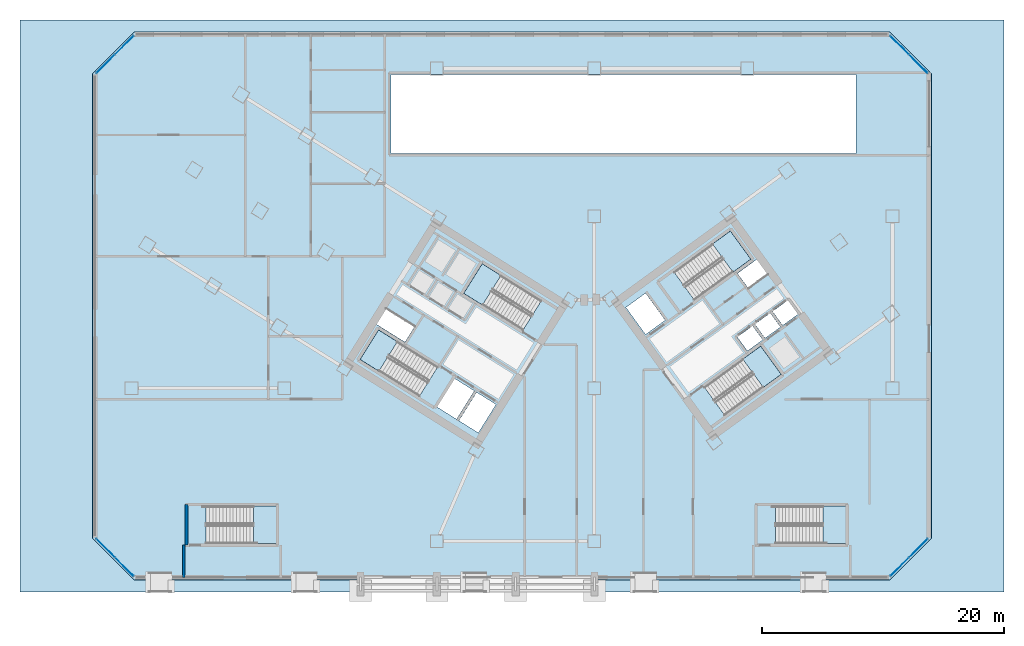
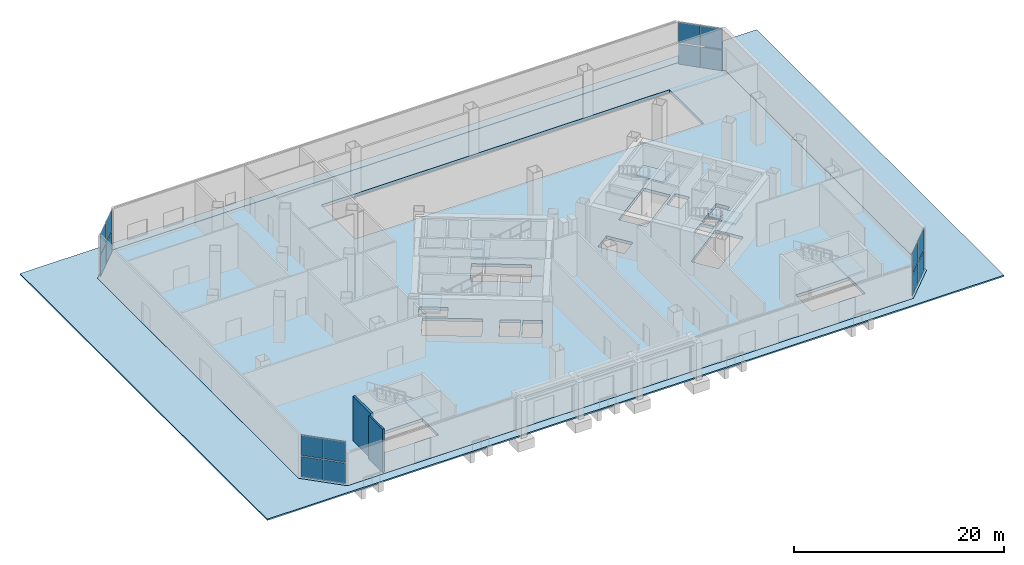
# One storey, part 9 of 22: 16 plates, 8 slabs, 2 walls, 10 elements without a shape of their own.
"""IFC4 building model written with IfcOpenShell, lengths in metres."""

from ifc_helpers import new_model, si_unit, direction, frame, frame_2d, origin, origin_2d, place, context, subcontext, project, spatial, polyline, rectangle, outline, extrude, source, transform, mapped, material, layer, layer_set, type_object, element, aggregate, save


model = new_model("IFC4")

# Units and contexts
model_context = context("Model", 3, precision=1e-05, world=origin(), true_north=direction((0.0, 1.0)))
body_context = subcontext(model_context, "Body", "Model", "MODEL_VIEW")
ifc_project = project(units=[si_unit("LENGTHUNIT", "METRE"), si_unit("AREAUNIT", "SQUARE_METRE"), si_unit("VOLUMEUNIT", "CUBIC_METRE"), si_unit("PLANEANGLEUNIT", "RADIAN"), si_unit("MASSUNIT", "GRAM", prefix="KILO")], contexts=[model_context])

# Site, building, storey
site_placement = place(None, origin())
site = spatial("IfcSite", under=ifc_project, at=site_placement, CompositionType="ELEMENT")
building_placement = place(site_placement, origin())
building = spatial("IfcBuilding", under=site, at=building_placement, Name="Tlacorven Tower", CompositionType="ELEMENT")
storey_placement = place(building_placement, origin())
storey = spatial("IfcBuildingStorey", under=building, at=storey_placement, Name="L00", CompositionType="ELEMENT", Elevation=0.0)

# Stair, slab
ifc_material_1 = material(Name="Concrete C40/50", Category="concrete")
stair_type_1 = type_object("IfcStairType", Name="ST-CORE-DLG", PredefinedType="HALF_TURN_STAIR", material=ifc_material_1)
stair_1_placement = place(storey_placement, origin())
stair_1 = element("IfcStair", 1, at=stair_1_placement, inside=storey, type_object=stair_type_1, Name="L00 Protected Exit Stair West 1", PredefinedType="HALF_TURN_STAIR")
ifc_layer_1 = layer(ifc_material_1, 0.199951171875)
ifc_layer_set_1 = layer_set([ifc_layer_1], Name="Concrete C40/50")
slab_type_1 = type_object("IfcSlabType", Name="SL-LND-200", PredefinedType="LANDING", material=ifc_layer_set_1)
slab_1_placement = place(storey_placement, frame((0.0, 0.0, 2.5)))
slab_1 = element("IfcSlab", 2, at=slab_1_placement, type_object=slab_type_1, Name="ST-W1 landing 1", PredefinedType="LANDING", context=body_context, shape_type="SweptSolid", body=[
    extrude(outline(polyline([(26.541259765625, 21.05712890625), (24.9892578125, 22.02685546875), (23.463134765625, 19.58447265625), (25.014892578125, 18.61474609375), (26.541259765625, 21.05712890625)])), origin(), (0.0, 0.0, 1.0), 0.199951171875),
])
aggregate(stair_1, [slab_1])

stair_2_placement = place(storey_placement, origin())
stair_2 = element("IfcStair", 3, at=stair_2_placement, inside=storey, type_object=stair_type_1, Name="L00 Protected Exit Stair West 2", PredefinedType="HALF_TURN_STAIR")
slab_2_placement = place(storey_placement, frame((0.0, 0.0, 2.5)))
slab_2 = element("IfcSlab", 4, at=slab_2_placement, type_object=slab_type_1, Name="ST-W2 landing 1", PredefinedType="LANDING", context=body_context, shape_type="SweptSolid", body=[
    extrude(outline(polyline([(35.0927734375, 26.5146484375), (33.540771484375, 27.484375), (32.0146484375, 25.0419921875), (33.56640625, 24.072265625), (35.0927734375, 26.5146484375)])), origin(), (0.0, 0.0, 1.0), 0.199951171875),
])
aggregate(stair_2, [slab_2])

stair_3_placement = place(storey_placement, origin())
stair_3 = element("IfcStair", 5, at=stair_3_placement, inside=storey, type_object=stair_type_1, Name="L00 Protected Exit Stair East 1", PredefinedType="HALF_TURN_STAIR")
slab_3_placement = place(storey_placement, frame((0.0, 0.0, 2.5)))
slab_3 = element("IfcSlab", 6, at=slab_3_placement, type_object=slab_type_1, Name="ST-E1 landing 1", PredefinedType="LANDING", context=body_context, shape_type="SweptSolid", body=[
    extrude(outline(polyline([(54.230224609375, 26.785888671875), (55.7109375, 27.861572265625), (54.01806640625, 30.19140625), (52.53759765625, 29.11572265625), (54.230224609375, 26.785888671875)])), origin(), (0.0, 0.0, 1.0), 0.199951171875),
])
aggregate(stair_3, [slab_3])

stair_4_placement = place(storey_placement, origin())
stair_4 = element("IfcStair", 7, at=stair_4_placement, inside=storey, type_object=stair_type_1, Name="L00 Protected Exit Stair East 2", PredefinedType="HALF_TURN_STAIR")
slab_4_placement = place(storey_placement, frame((0.0, 0.0, 2.5)))
slab_4 = element("IfcSlab", 8, at=slab_4_placement, type_object=slab_type_1, Name="ST-E2 landing 1", PredefinedType="LANDING", context=body_context, shape_type="SweptSolid", body=[
    extrude(outline(polyline([(56.734375, 17.28271484375), (58.21484375, 18.3583984375), (56.52197265625, 20.6884765625), (55.04150390625, 19.61279296875), (56.734375, 17.28271484375)])), origin(), (0.0, 0.0, 1.0), 0.199951171875),
])
aggregate(stair_4, [slab_4])

stair_type_2 = type_object("IfcStairType", Name="ST-POD-DLG", PredefinedType="HALF_TURN_STAIR", material=ifc_material_1)
stair_5_placement = place(storey_placement, origin())
stair_5 = element("IfcStair", 9, at=stair_5_placement, inside=storey, type_object=stair_type_2, Name="L00 Podium Station Exit Stair 1", PredefinedType="HALF_TURN_STAIR")
slab_5_placement = place(storey_placement, frame((0.0, 0.0, 2.5)))
slab_5 = element("IfcSlab", 10, at=slab_5_placement, type_object=slab_type_1, Name="ST-P1 landing 1", PredefinedType="LANDING", context=body_context, shape_type="SweptSolid", body=[
    extrude(outline(polyline([(14.669921875, 4.39990234375), (16.60009765625, 4.39990234375), (16.60009765625, 7.47998046875), (14.669921875, 7.47998046875), (14.669921875, 4.39990234375)])), origin(), (0.0, 0.0, 1.0), 0.199951171875),
])
aggregate(stair_5, [slab_5])

stair_6_placement = place(storey_placement, origin())
stair_6 = element("IfcStair", 11, at=stair_6_placement, inside=storey, type_object=stair_type_2, Name="L00 Podium Station Exit Stair 2", PredefinedType="HALF_TURN_STAIR")
slab_6_placement = place(storey_placement, frame((0.0, 0.0, 2.5)))
slab_6 = element("IfcSlab", 12, at=slab_6_placement, type_object=slab_type_1, Name="ST-P2 landing 1", PredefinedType="LANDING", context=body_context, shape_type="SweptSolid", body=[
    extrude(outline(polyline([(61.669921875, 4.39990234375), (63.60009765625, 4.39990234375), (63.60009765625, 7.47998046875), (61.669921875, 7.47998046875), (61.669921875, 4.39990234375)])), origin(), (0.0, 0.0, 1.0), 0.199951171875),
])
aggregate(stair_6, [slab_6])

# Slabs
ifc_material_2 = material(Name="Precast concrete C40/50", Category="concrete")
ifc_layer_2 = layer(ifc_material_2, 0.159912109375)
ifc_layer_set_2 = layer_set([ifc_layer_2], Name="Precast concrete C40/50")
slab_type_2 = type_object("IfcSlabType", Name="SL-PAV-160", PredefinedType="USERDEFINED", material=ifc_layer_set_2)
slab_7_placement = place(storey_placement, frame((0.0, 0.0, -0.159912109375)))
element("IfcSlab", 13, at=slab_7_placement, inside=storey, type_object=slab_type_2, Name="L00 Station Forecourt Plaza and Ramp Apron Paving", ObjectType="APRON PAVING", PredefinedType="USERDEFINED", context=body_context, shape_type="SweptSolid", body=[
    extrude(outline(polyline([(-4.60009765625, 0.39990234375), (76.60009765625, 0.39990234375), (76.60009765625, 47.60009765625), (-4.60009765625, 47.60009765625), (-4.60009765625, 0.39990234375)]), holes=[polyline([(4.800048828125, 1.39990234375), (67.199951171875, 1.39990234375), (70.60009765625, 4.800048828125), (70.60009765625, 43.199951171875), (67.199951171875, 46.60009765625), (4.800048828125, 46.60009765625), (1.39990234375, 43.199951171875), (1.39990234375, 4.800048828125), (4.800048828125, 1.39990234375)])]), origin(), (0.0, 0.0, 1.0), 0.159912109375),
])
ifc_layer_3 = layer(ifc_material_1, 0.35009765625)
ifc_layer_set_3 = layer_set([ifc_layer_3], Name="Concrete C40/50")
slab_type_3 = type_object("IfcSlabType", Name="SL-POD-350", PredefinedType="FLOOR", material=ifc_layer_set_3)
slab_8_placement = place(storey_placement, frame((0.0, 0.0, -0.35009765625)))
element("IfcSlab", 14, at=slab_8_placement, inside=storey, type_object=slab_type_3, Name="L00 Structural Podium Floor Slab", PredefinedType="FLOOR", context=body_context, shape_type="SweptSolid", body=[
    extrude(outline(polyline([(4.800048828125, 1.39990234375), (67.199951171875, 1.39990234375), (70.60009765625, 4.800048828125), (70.60009765625, 43.199951171875), (67.199951171875, 46.60009765625), (4.800048828125, 46.60009765625), (1.39990234375, 43.199951171875), (1.39990234375, 4.800048828125), (4.800048828125, 1.39990234375)]), holes=[polyline([(29.865478515625, 18.979736328125), (24.9892578125, 22.02685546875), (23.463134765625, 19.58447265625), (28.33935546875, 16.537353515625), (29.865478515625, 18.979736328125)]), polyline([(38.4169921875, 24.4375), (33.540771484375, 27.484375), (32.0146484375, 25.0419921875), (36.890869140625, 21.9951171875), (38.4169921875, 24.4375)]), polyline([(51.05908203125, 24.481689453125), (55.7109375, 27.861572265625), (54.01806640625, 30.19140625), (49.3662109375, 26.811767578125), (51.05908203125, 24.481689453125)]), polyline([(53.56298828125, 14.978759765625), (58.21484375, 18.3583984375), (56.52197265625, 20.6884765625), (51.8701171875, 17.30859375), (53.56298828125, 14.978759765625)]), polyline([(10.75, 4.39990234375), (16.60009765625, 4.39990234375), (16.60009765625, 7.47998046875), (10.75, 7.47998046875), (10.75, 4.39990234375)]), polyline([(57.75, 4.39990234375), (63.60009765625, 4.39990234375), (63.60009765625, 7.47998046875), (57.75, 7.47998046875), (57.75, 4.39990234375)]), polyline([(26.0, 36.60009765625), (64.39990234375, 36.60009765625), (64.39990234375, 43.10009765625), (26.0, 43.10009765625), (26.0, 36.60009765625)]), polyline([(34.682373046875, 15.87548828125), (33.088134765625, 16.871826171875), (31.62548828125, 14.531005859375), (33.2197265625, 13.534912109375), (34.682373046875, 15.87548828125)]), polyline([(32.884521484375, 16.9990234375), (31.2392578125, 18.02685546875), (29.77685546875, 15.686279296875), (31.421875, 14.658203125), (32.884521484375, 16.9990234375)]), polyline([(47.0234375, 21.648681640625), (48.6416015625, 22.82421875), (47.019287109375, 25.05712890625), (45.401123046875, 23.881591796875), (47.0234375, 21.648681640625)]), polyline([(55.427734375, 20.288818359375), (56.68994140625, 21.205810546875), (55.855224609375, 22.354736328125), (54.59326171875, 21.437744140625), (55.427734375, 20.288818359375)]), polyline([(56.884033203125, 21.346923828125), (58.146240234375, 22.263916015625), (57.3115234375, 23.41259765625), (56.04931640625, 22.495849609375), (56.884033203125, 21.346923828125)]), polyline([(58.34033203125, 22.405029296875), (59.602294921875, 23.322021484375), (58.767578125, 24.470703125), (57.505615234375, 23.5537109375), (58.34033203125, 22.405029296875)]), polyline([(27.96142578125, 22.2919921875), (25.603759765625, 23.76513671875), (24.80908203125, 22.4931640625), (27.16650390625, 21.02001953125), (27.96142578125, 22.2919921875)]), polyline([(55.490478515625, 25.4765625), (57.092529296875, 26.640380859375), (56.210693359375, 27.85400390625), (54.60888671875, 26.690185546875), (55.490478515625, 25.4765625)])]), origin(), (0.0, 0.0, 1.0), 0.35009765625),
])

# Curtain wall, plates
ifc_material_3 = material(Name="Dark solar low-E double glazing in aluminium frame", Category="aluminium")
curtain_wall_type = type_object("IfcCurtainWallType", Name="CW-STN-CONCOURSE", PredefinedType="USERDEFINED", material=ifc_material_3)
curtain_wall_1_placement = place(storey_placement, origin())
curtain_wall_1 = element("IfcCurtainWall", 15, at=curtain_wall_1_placement, inside=storey, type_object=curtain_wall_type, Name="L00 Podium Chamfer Curtain Wall 1", ObjectType="UNITISED CURTAIN WALL", PredefinedType="USERDEFINED")
ifc_material_4 = material(Name="Dark solar acoustic laminated low-E glazing", Category="glass")
ifc_layer_4 = layer(ifc_material_4, 0.035888671875)
ifc_layer_set_4 = layer_set([ifc_layer_4], Name="Dark solar acoustic laminated low-E glazing")
plate_type = type_object("IfcPlateType", Name="CWP-01", PredefinedType="CURTAIN_PANEL", material=ifc_layer_set_4)
shared_shape = source(origin(), body_context, "Body", "SweptSolid", [
    extrude(rectangle(XDim=2.13427734375, YDim=0.035888671875, at=origin_2d()), origin(), (0.0, 0.0, 1.0), 2.383056640625),
])
plate_1_placement = place(storey_placement, frame((4.014404296875, 2.468505859375, 0.07080078125), z_axis=(0.0, 0.0, 1.0), x_axis=(-0.707106781187, 0.707106781187, 0.0)))
plate_1 = element("IfcPlate", 16, at=plate_1_placement, type_object=plate_type, Name="CW-L00-001 Glazing Panel 1", PredefinedType="CURTAIN_PANEL", context=body_context, shape_type="MappedRepresentation", body=[
    mapped(shared_shape, transform((0.0, 0.0, 0.0), scale=1.0)),
])
plate_2_placement = place(storey_placement, frame((4.014404296875, 2.468505859375, 2.59619140625), z_axis=(0.0, 0.0, 1.0), x_axis=(-0.707106781187, 0.707106781187, 0.0)))
plate_2 = element("IfcPlate", 17, at=plate_2_placement, type_object=plate_type, Name="CW-L00-001 Glazing Panel 2", PredefinedType="CURTAIN_PANEL", context=body_context, shape_type="MappedRepresentation", body=[
    mapped(shared_shape, transform((0.0, 0.0, 0.0), scale=1.0)),
])
plate_3_placement = place(storey_placement, frame((2.468505859375, 4.014404296875, 0.07080078125), z_axis=(0.0, 0.0, 1.0), x_axis=(-0.707106781187, 0.707106781187, 0.0)))
plate_3 = element("IfcPlate", 18, at=plate_3_placement, type_object=plate_type, Name="CW-L00-001 Glazing Panel 3", PredefinedType="CURTAIN_PANEL", context=body_context, shape_type="MappedRepresentation", body=[
    mapped(shared_shape, transform((0.0, 0.0, 0.0), scale=1.0)),
])
plate_4_placement = place(storey_placement, frame((2.468505859375, 4.014404296875, 2.59619140625), z_axis=(0.0, 0.0, 1.0), x_axis=(-0.707106781187, 0.707106781187, 0.0)))
plate_4 = element("IfcPlate", 19, at=plate_4_placement, type_object=plate_type, Name="CW-L00-001 Glazing Panel 4", PredefinedType="CURTAIN_PANEL", context=body_context, shape_type="MappedRepresentation", body=[
    mapped(shared_shape, transform((0.0, 0.0, 0.0), scale=1.0)),
])
aggregate(curtain_wall_1, [plate_1, plate_2, plate_3, plate_4])

curtain_wall_2_placement = place(storey_placement, origin())
curtain_wall_2 = element("IfcCurtainWall", 20, at=curtain_wall_2_placement, inside=storey, type_object=curtain_wall_type, Name="L00 Podium Chamfer Curtain Wall 3", ObjectType="UNITISED CURTAIN WALL", PredefinedType="USERDEFINED")
plate_5_placement = place(storey_placement, frame((2.468505859375, 43.985595703125, 0.07080078125), z_axis=(0.0, 0.0, 1.0), x_axis=(0.707106781187, 0.707106781187, 0.0)))
plate_5 = element("IfcPlate", 21, at=plate_5_placement, type_object=plate_type, Name="CW-L00-002 Glazing Panel 1", PredefinedType="CURTAIN_PANEL", context=body_context, shape_type="MappedRepresentation", body=[
    mapped(shared_shape, transform((0.0, 0.0, 0.0), scale=1.0)),
])
plate_6_placement = place(storey_placement, frame((2.468505859375, 43.985595703125, 2.59619140625), z_axis=(0.0, 0.0, 1.0), x_axis=(0.707106781187, 0.707106781187, 0.0)))
plate_6 = element("IfcPlate", 22, at=plate_6_placement, type_object=plate_type, Name="CW-L00-002 Glazing Panel 2", PredefinedType="CURTAIN_PANEL", context=body_context, shape_type="MappedRepresentation", body=[
    mapped(shared_shape, transform((0.0, 0.0, 0.0), scale=1.0)),
])
plate_7_placement = place(storey_placement, frame((4.014404296875, 45.531494140625, 0.07080078125), z_axis=(0.0, 0.0, 1.0), x_axis=(0.707106781187, 0.707106781187, 0.0)))
plate_7 = element("IfcPlate", 23, at=plate_7_placement, type_object=plate_type, Name="CW-L00-002 Glazing Panel 3", PredefinedType="CURTAIN_PANEL", context=body_context, shape_type="MappedRepresentation", body=[
    mapped(shared_shape, transform((0.0, 0.0, 0.0), scale=1.0)),
])
plate_8_placement = place(storey_placement, frame((4.014404296875, 45.531494140625, 2.59619140625), z_axis=(0.0, 0.0, 1.0), x_axis=(0.707106781187, 0.707106781187, 0.0)))
plate_8 = element("IfcPlate", 24, at=plate_8_placement, type_object=plate_type, Name="CW-L00-002 Glazing Panel 4", PredefinedType="CURTAIN_PANEL", context=body_context, shape_type="MappedRepresentation", body=[
    mapped(shared_shape, transform((0.0, 0.0, 0.0), scale=1.0)),
])
aggregate(curtain_wall_2, [plate_5, plate_6, plate_7, plate_8])

curtain_wall_3_placement = place(storey_placement, origin())
curtain_wall_3 = element("IfcCurtainWall", 25, at=curtain_wall_3_placement, inside=storey, type_object=curtain_wall_type, Name="L00 Podium Chamfer Curtain Wall 5", ObjectType="UNITISED CURTAIN WALL", PredefinedType="USERDEFINED")
plate_9_placement = place(storey_placement, frame((67.985595703125, 45.531494140625, 0.07080078125), z_axis=(0.0, 0.0, 1.0), x_axis=(0.707106781187, -0.707106781187, 0.0)))
plate_9 = element("IfcPlate", 26, at=plate_9_placement, type_object=plate_type, Name="CW-L00-003 Glazing Panel 1", PredefinedType="CURTAIN_PANEL", context=body_context, shape_type="MappedRepresentation", body=[
    mapped(shared_shape, transform((0.0, 0.0, 0.0), scale=1.0)),
])
plate_10_placement = place(storey_placement, frame((67.985595703125, 45.531494140625, 2.59619140625), z_axis=(0.0, 0.0, 1.0), x_axis=(0.707106781187, -0.707106781187, 0.0)))
plate_10 = element("IfcPlate", 27, at=plate_10_placement, type_object=plate_type, Name="CW-L00-003 Glazing Panel 2", PredefinedType="CURTAIN_PANEL", context=body_context, shape_type="MappedRepresentation", body=[
    mapped(shared_shape, transform((0.0, 0.0, 0.0), scale=1.0)),
])
plate_11_placement = place(storey_placement, frame((69.531494140625, 43.985595703125, 0.07080078125), z_axis=(0.0, 0.0, 1.0), x_axis=(0.707106781187, -0.707106781187, 0.0)))
plate_11 = element("IfcPlate", 28, at=plate_11_placement, type_object=plate_type, Name="CW-L00-003 Glazing Panel 3", PredefinedType="CURTAIN_PANEL", context=body_context, shape_type="MappedRepresentation", body=[
    mapped(shared_shape, transform((0.0, 0.0, 0.0), scale=1.0)),
])
plate_12_placement = place(storey_placement, frame((69.531494140625, 43.985595703125, 2.59619140625), z_axis=(0.0, 0.0, 1.0), x_axis=(0.707106781187, -0.707106781187, 0.0)))
plate_12 = element("IfcPlate", 29, at=plate_12_placement, type_object=plate_type, Name="CW-L00-003 Glazing Panel 4", PredefinedType="CURTAIN_PANEL", context=body_context, shape_type="MappedRepresentation", body=[
    mapped(shared_shape, transform((0.0, 0.0, 0.0), scale=1.0)),
])
aggregate(curtain_wall_3, [plate_9, plate_10, plate_11, plate_12])

curtain_wall_4_placement = place(storey_placement, origin())
curtain_wall_4 = element("IfcCurtainWall", 30, at=curtain_wall_4_placement, inside=storey, type_object=curtain_wall_type, Name="L00 Podium Chamfer Curtain Wall 7", ObjectType="UNITISED CURTAIN WALL", PredefinedType="USERDEFINED")
plate_13_placement = place(storey_placement, frame((69.531494140625, 4.014404296875, 0.07080078125), z_axis=(0.0, 0.0, 1.0), x_axis=(-0.707106781187, -0.707106781187, 0.0)))
plate_13 = element("IfcPlate", 31, at=plate_13_placement, type_object=plate_type, Name="CW-L00-004 Glazing Panel 1", PredefinedType="CURTAIN_PANEL", context=body_context, shape_type="MappedRepresentation", body=[
    mapped(shared_shape, transform((0.0, 0.0, 0.0), scale=1.0)),
])
plate_14_placement = place(storey_placement, frame((69.531494140625, 4.014404296875, 2.59619140625), z_axis=(0.0, 0.0, 1.0), x_axis=(-0.707106781187, -0.707106781187, 0.0)))
plate_14 = element("IfcPlate", 32, at=plate_14_placement, type_object=plate_type, Name="CW-L00-004 Glazing Panel 2", PredefinedType="CURTAIN_PANEL", context=body_context, shape_type="MappedRepresentation", body=[
    mapped(shared_shape, transform((0.0, 0.0, 0.0), scale=1.0)),
])
plate_15_placement = place(storey_placement, frame((67.985595703125, 2.468505859375, 0.07080078125), z_axis=(0.0, 0.0, 1.0), x_axis=(-0.707106781187, -0.707106781187, 0.0)))
plate_15 = element("IfcPlate", 33, at=plate_15_placement, type_object=plate_type, Name="CW-L00-004 Glazing Panel 3", PredefinedType="CURTAIN_PANEL", context=body_context, shape_type="MappedRepresentation", body=[
    mapped(shared_shape, transform((0.0, 0.0, 0.0), scale=1.0)),
])
plate_16_placement = place(storey_placement, frame((67.985595703125, 2.468505859375, 2.59619140625), z_axis=(0.0, 0.0, 1.0), x_axis=(-0.707106781187, -0.707106781187, 0.0)))
plate_16 = element("IfcPlate", 34, at=plate_16_placement, type_object=plate_type, Name="CW-L00-004 Glazing Panel 4", PredefinedType="CURTAIN_PANEL", context=body_context, shape_type="MappedRepresentation", body=[
    mapped(shared_shape, transform((0.0, 0.0, 0.0), scale=1.0)),
])
aggregate(curtain_wall_4, [plate_13, plate_14, plate_15, plate_16])

# Walls
ifc_layer_5 = layer(ifc_material_1, 0.199951171875)
ifc_layer_set_5 = layer_set([ifc_layer_5], Name="Concrete C40/50")
wall_type_1 = type_object("IfcWallType", Name="WL-SHF-200", PredefinedType="STANDARD", material=ifc_layer_set_5)
wall_1_placement = place(storey_placement, frame((8.89990234375, 1.60009765625, 0.0), z_axis=(0.0, 0.0, 1.0), x_axis=(0.0, 1.0, 0.0)))
element("IfcWall", 35, at=wall_1_placement, inside=storey, type_object=wall_type_1, Name="L00 partition 80", PredefinedType="STANDARD", context=body_context, shape_type="SweptSolid", body=[
    extrude(rectangle(XDim=2.659912109375, YDim=0.199951171875, at=frame_2d((1.330078125, 0.0))), origin(), (0.0, 0.0, 1.0), 5.0400390625),
])
ifc_material_5 = material(Name="Concrete C50/60", Category="concrete")
ifc_layer_6 = layer(ifc_material_5, 0.260009765625)
ifc_layer_set_6 = layer_set([ifc_layer_6], Name="Concrete C50/60")
wall_type_2 = type_object("IfcWallType", Name="WL-STW-260", PredefinedType="SHEAR", material=ifc_layer_set_6)
wall_2_placement = place(storey_placement, frame((9.139892578125, 4.260009765625, 0.0), z_axis=(0.0, 0.0, 1.0), x_axis=(0.0, 1.0, 0.0)))
element("IfcWall", 36, at=wall_2_placement, inside=storey, type_object=wall_type_2, Name="L00 Stair P1 West Wall", PredefinedType="SHEAR", context=body_context, shape_type="SweptSolid", body=[
    extrude(rectangle(XDim=3.360107421875, YDim=0.260009765625, at=frame_2d((1.68017578125, 0.0))), origin(), (0.0, 0.0, 1.0), 5.199951171875),
])

save(model, "model.ifc")
